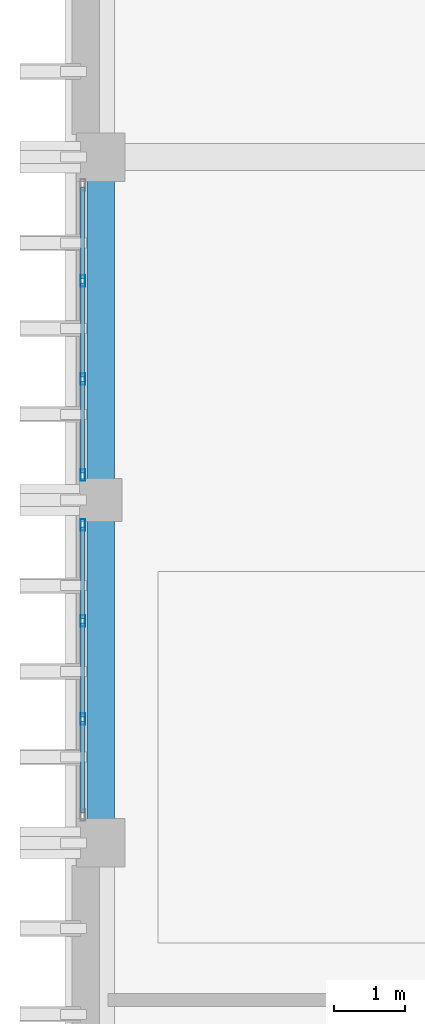
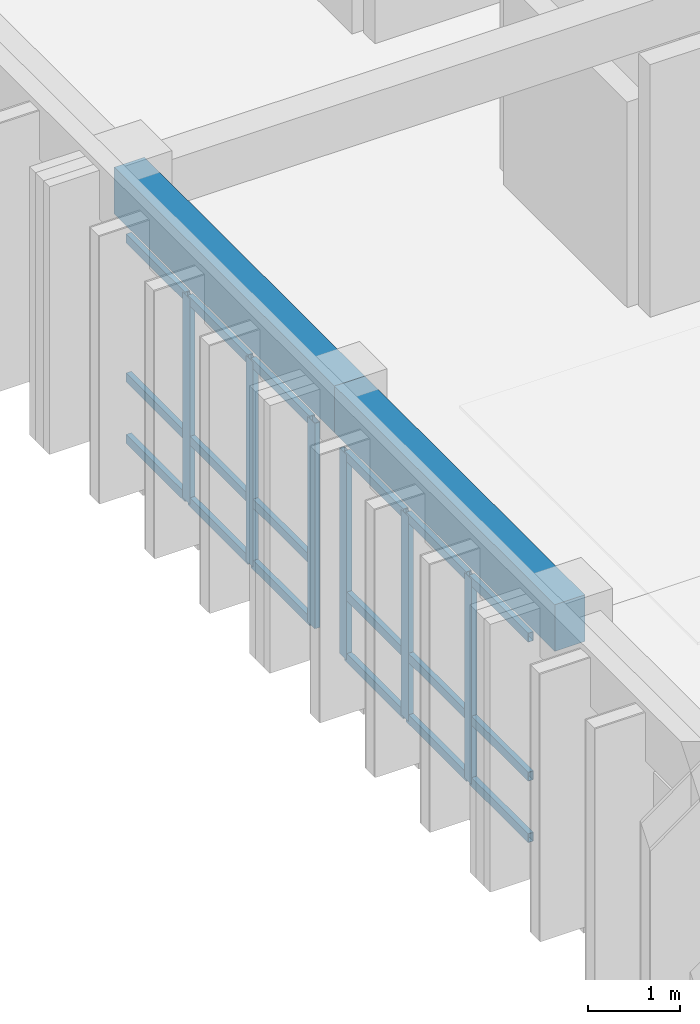
# One storey, part 29 of 53: 24 members, 2 beams, 2 elements without a shape of their own.
"""IFC4 building model written with IfcOpenShell, lengths in metres."""

import ifcopenshell
import ifcopenshell.guid

model = None  # the IFC model being written
_history = None  # IfcOwnerHistory: only IFC2X3 demands one
_inside = {}  # id of a spatial element -> (the spatial element, [elements in it])
_under = {}  # id of a project, library or spatial element -> (it, [spatial elements below it])
_declared = {}  # id of a project -> (the project, [libraries it declares])
_typed = {}  # id of a type object -> (the type object, [elements of that type])
_made_of = {}  # id of a material, layer set ... -> (it, [elements and type objects made of it])


def new_model(schema):
    """Start an empty IFC model of exactly this schema.

    Asked for "IFC4X3", IfcOpenShell would pick the latest addendum, in which some entities
    have other attributes; the version numbers below select the first issue.
    IFC2X3 requires an IfcOwnerHistory on every rooted entity: one is made here for all.
    """
    global model, _history
    if schema == "IFC4X3":
        model = ifcopenshell.file(schema_version=(4, 3, 0, 0))
    else:
        model = ifcopenshell.file(schema=schema)
    _inside.clear()
    _under.clear()
    _declared.clear()
    _typed.clear()
    _made_of.clear()
    _history = None
    if model.schema == "IFC2X3":
        org = make("IfcOrganization", Name="unknown")
        user = make(
            "IfcPersonAndOrganization",
            ThePerson=make("IfcPerson", FamilyName="unknown"),
            TheOrganization=org,
        )
        app = make(
            "IfcApplication",
            ApplicationDeveloper=org,
            Version="unknown",
            ApplicationFullName="unknown",
            ApplicationIdentifier="unknown",
        )
        _history = make(
            "IfcOwnerHistory",
            OwningUser=user,
            OwningApplication=app,
            ChangeAction="ADDED",
            CreationDate=0,
        )
    return model


def make(cls, **values):
    """One entity of the class cls with the attributes given. An attribute that is None is left unset."""
    return model.create_entity(
        cls, **{name: value for name, value in values.items() if value is not None}
    )


def rooted(cls, **values):
    """An entity with a GlobalId (a new one), such as an element, a storey or a relation."""
    return make(cls, GlobalId=ifcopenshell.guid.new(), OwnerHistory=_history, **values)


def si_unit(unit_type, name, prefix=None):
    """IfcSIUnit, for example si_unit("LENGTHUNIT", "METRE", prefix="MILLI")."""
    return make("IfcSIUnit", UnitType=unit_type, Prefix=prefix, Name=name)


def assignment(units):
    """IfcUnitAssignment: the units of a project."""
    return None if units is None else make("IfcUnitAssignment", Units=units)


def point(xyz):
    """IfcCartesianPoint."""
    return None if xyz is None else make("IfcCartesianPoint", Coordinates=xyz)


def direction(xyz):
    """IfcDirection."""
    return None if xyz is None else make("IfcDirection", DirectionRatios=xyz)


def frame(location, z_axis=None, x_axis=None):
    """IfcAxis2Placement3D, a coordinate frame: its origin and axes. An axis left out is left unset."""
    return make(
        "IfcAxis2Placement3D",
        Location=point(location),
        Axis=direction(z_axis),
        RefDirection=direction(x_axis),
    )


def frame_2d(location, x_axis=None):
    """IfcAxis2Placement2D, a coordinate frame in the plane: its origin and x axis."""
    return make(
        "IfcAxis2Placement2D", Location=point(location), RefDirection=direction(x_axis)
    )


def origin():
    """The frame at (0, 0, 0) with its axes left unset."""
    return frame((0.0, 0.0, 0.0))


def origin_2d():
    """The frame at (0, 0) in the plane with its x axis left unset."""
    return frame_2d((0.0, 0.0))


def place(relative_to, where):
    """IfcLocalPlacement: puts the frame where relative to a parent placement (None: the world)."""
    return make(
        "IfcLocalPlacement", PlacementRelTo=relative_to, RelativePlacement=where
    )


def context(
    kind, dimensions, precision=None, world=None, true_north=None, identifier=None
):
    """IfcGeometricRepresentationContext, for example the 3D "Model" context."""
    return make(
        "IfcGeometricRepresentationContext",
        ContextIdentifier=identifier,
        ContextType=kind,
        CoordinateSpaceDimension=dimensions,
        Precision=precision,
        WorldCoordinateSystem=world,
        TrueNorth=true_north,
    )


def subcontext(parent, identifier, kind, view, scale=None):
    """IfcGeometricRepresentationSubContext, for example "Body" below "Model"."""
    return make(
        "IfcGeometricRepresentationSubContext",
        ContextIdentifier=identifier,
        ContextType=kind,
        ParentContext=parent,
        TargetScale=scale,
        TargetView=view,
    )


def project(units=None, contexts=None):
    """IfcProject with its units and contexts."""
    return rooted(
        "IfcProject",
        Name="project",
        RepresentationContexts=contexts,
        UnitsInContext=assignment(units),
    )


def spatial(cls, under=None, at=None, **own):
    """A site, building, storey or space (cls), placed at a placement, below another one or the project."""
    s = rooted(cls, ObjectPlacement=at, **own)
    if under is not None:
        _under.setdefault(under.id(), (under, []))[1].append(s)
    return s


def profile(cls, at=None, kind="AREA", **sizes):
    """A parametric profile (cls). Its sizes go by their IFC names, for example OverallWidth=200.0."""
    return make(cls, ProfileType=kind, Position=at, **sizes)


def rectangle(**sizes):
    """IfcRectangleProfileDef."""
    return profile("IfcRectangleProfileDef", **sizes)


def hollow_rectangle(**sizes):
    """IfcRectangleHollowProfileDef."""
    return profile("IfcRectangleHollowProfileDef", **sizes)


def extrude(swept, where, along, depth):
    """IfcExtrudedAreaSolid: the profile swept, set in the frame where, extruded along a direction by depth."""
    return make(
        "IfcExtrudedAreaSolid",
        SweptArea=swept,
        Position=where,
        ExtrudedDirection=direction(along),
        Depth=depth,
    )


def shape(context_of_items, identifier, shape_type, items):
    """IfcShapeRepresentation: the items that make up one representation, for example the "Body"."""
    return make(
        "IfcShapeRepresentation",
        ContextOfItems=context_of_items,
        RepresentationIdentifier=identifier,
        RepresentationType=shape_type,
        Items=items,
    )


def material(Name=None, Category=None):
    """IfcMaterial."""
    return make("IfcMaterial", Name=Name, Category=Category)


def layer(
    of_material, thickness, ventilated=None, Name=None, Category=None, Priority=None
):
    """IfcMaterialLayer: one layer of a wall or slab, of a material (None: an air gap)."""
    return make(
        "IfcMaterialLayer",
        Material=of_material,
        LayerThickness=thickness,
        IsVentilated=ventilated,
        Name=Name,
        Category=Category,
        Priority=Priority,
    )


def layer_set(layers, Name=None):
    """IfcMaterialLayerSet."""
    return make("IfcMaterialLayerSet", MaterialLayers=layers, LayerSetName=Name)


def material_profile(
    of_material, cross_section, Name=None, Category=None, Priority=None
):
    """IfcMaterialProfile: a cross section and its material."""
    return make(
        "IfcMaterialProfile",
        Name=Name,
        Material=of_material,
        Profile=cross_section,
        Priority=Priority,
        Category=Category,
    )


def profile_set(profiles, Name=None, composite=None):
    """IfcMaterialProfileSet."""
    return make(
        "IfcMaterialProfileSet",
        Name=Name,
        MaterialProfiles=profiles,
        CompositeProfile=composite,
    )


def made_of(thing, what):
    """Note that an element or type object is made of a material, layer set ...; save() writes the relation."""
    if what is not None:
        _made_of.setdefault(what.id(), (what, []))[1].append(thing)
    return thing


def type_object(cls, material=None, **own):
    """A type object (cls), such as IfcWallType, which elements share."""
    return made_of(rooted(cls, **own), material)


def element(
    cls,
    number,
    at=None,
    inside=None,
    cuts=None,
    type_object=None,
    material=None,
    context=None,
    identifier="Body",
    shape_type=None,
    held_by="IfcProductDefinitionShape",
    body=None,
    shapes=None,
    **own,
):
    """One element of the class cls, such as IfcWall. Its Tag is "e" and its number.

    at: its placement. inside: the storey or other place that contains it. cuts: it is an
    opening in that element (IfcRelVoidsElement). A single representation is given by context,
    identifier, shape_type and body (its items); several are given by shapes. held_by: the class
    of the entity that holds the representations. save() writes the other relations.
    """
    e = rooted(cls, Tag="e%d" % number, ObjectPlacement=at, **own)
    if body is not None:
        shapes = [shape(context, identifier, shape_type, body)]
    if shapes is not None:
        e.Representation = make(held_by, Representations=shapes)
    if inside is not None:
        _inside.setdefault(inside.id(), (inside, []))[1].append(e)
    if cuts is not None:
        rooted(
            "IfcRelVoidsElement", RelatingBuildingElement=cuts, RelatedOpeningElement=e
        )
    if type_object is not None:
        _typed.setdefault(type_object.id(), (type_object, []))[1].append(e)
    return made_of(e, material)


def aggregate(whole, parts):
    """IfcRelAggregates: a whole, such as a stair, and the parts it consists of."""
    return rooted("IfcRelAggregates", RelatingObject=whole, RelatedObjects=parts)


def save(model, path):
    """Write the relations noted so far, then the file.

    IfcRelAggregates (storeys below a building ...), IfcRelContainedInSpatialStructure (elements
    in a storey), IfcRelDefinesByType, IfcRelAssociatesMaterial and IfcRelDeclares: one each for
    every whole, place, type object, material and project.
    """
    for whole, parts in _under.values():
        aggregate(whole, parts)
    for where, things in _inside.values():
        rooted(
            "IfcRelContainedInSpatialStructure",
            RelatedElements=things,
            RelatingStructure=where,
        )
    for kind, things in _typed.values():
        rooted("IfcRelDefinesByType", RelatedObjects=things, RelatingType=kind)
    for what, things in _made_of.values():
        rooted("IfcRelAssociatesMaterial", RelatedObjects=things, RelatingMaterial=what)
    for by, libraries in _declared.values():
        rooted("IfcRelDeclares", RelatingContext=by, RelatedDefinitions=libraries)
    model.write(path)


model = new_model("IFC4")

# Units and contexts
model_context = context("Model", 3, precision=1e-05, world=origin(), true_north=direction((0.0, 1.0)))
body_context = subcontext(model_context, "Body", "Model", "MODEL_VIEW")
ifc_project = project(units=[si_unit("LENGTHUNIT", "METRE"), si_unit("AREAUNIT", "SQUARE_METRE"), si_unit("VOLUMEUNIT", "CUBIC_METRE"), si_unit("PLANEANGLEUNIT", "RADIAN"), si_unit("MASSUNIT", "GRAM", prefix="KILO")], contexts=[model_context])

# Site, building, storey
site_placement = place(None, origin())
site = spatial("IfcSite", under=ifc_project, at=site_placement, CompositionType="ELEMENT")
building_placement = place(site_placement, origin())
building = spatial("IfcBuilding", under=site, at=building_placement, Name="Nakhvara Creek Congress Hotel", CompositionType="ELEMENT")
storey_placement = place(building_placement, frame((0.0, 0.0, 35.39990234375)))
storey = spatial("IfcBuildingStorey", under=building, at=storey_placement, Name="L08", CompositionType="ELEMENT", Elevation=35.39990234375)

# Beams
ifc_material_1 = material(Name="Concrete C40/50", Category="concrete")
ifc_material_profile_1 = material_profile(ifc_material_1, rectangle(XDim=0.3798828125, YDim=0.6201171875, at=origin_2d()), Name="RC-BM 380x620", Category="LoadBearing")
ifc_profile_set_1 = profile_set([ifc_material_profile_1], Name="Concrete C40/50")
beam_type = type_object("IfcBeamType", Name="BM-RC-380X620", PredefinedType="BEAM", material=ifc_profile_set_1)
beam_1_placement = place(storey_placement, frame((149.449951171875, 105.60009765625, 3.050048828125), z_axis=(0.0, 1.0, 0.0), x_axis=(-1.0, 0.0, 0.0)))
element("IfcBeam", 1, at=beam_1_placement, inside=storey, type_object=beam_type, Name="Beam B10-L08-2444", PredefinedType="BEAM", context=body_context, shape_type="SweptSolid", body=[
    extrude(rectangle(XDim=0.3798828125, YDim=0.6201171875, at=origin_2d()), origin(), (0.0, 0.0, 1.0), 4.7998046875),
])
beam_2_placement = place(storey_placement, frame((149.449951171875, 110.39990234375, 3.050048828125), z_axis=(0.0, 1.0, 0.0), x_axis=(-1.0, 0.0, 0.0)))
element("IfcBeam", 2, at=beam_2_placement, inside=storey, type_object=beam_type, Name="Beam B10-L08-2446", PredefinedType="BEAM", context=body_context, shape_type="SweptSolid", body=[
    extrude(rectangle(XDim=0.3798828125, YDim=0.6201171875, at=origin_2d()), origin(), (0.0, 0.0, 1.0), 4.800048828125),
])

# Curtain wall, members
ifc_material_2 = material(Name="Bronze-anodised aluminium AW-6063-T6 and double-silver low-E glass", Category="aluminium")
ifc_layer = layer(ifc_material_2, 0.199951171875)
ifc_layer_set = layer_set([ifc_layer], Name="Bronze-anodised aluminium AW-6063-T6 and double-silver low-E glass")
curtain_wall_type = type_object("IfcCurtainWallType", Name="CW-HTL-UNIT", PredefinedType="USERDEFINED", material=ifc_layer_set)
curtain_wall_1_placement = place(storey_placement, origin())
curtain_wall_1 = element("IfcCurtainWall", 3, at=curtain_wall_1_placement, inside=storey, type_object=curtain_wall_type, Name="Curtain Wall CW290", ObjectType="UNITISED", PredefinedType="USERDEFINED")
ifc_material_3 = material(Name="Bronze-anodised aluminium AW-6063-T6", Category="aluminium")
ifc_material_profile_2 = material_profile(ifc_material_3, hollow_rectangle(XDim=0.06494140625, YDim=0.159912109375, WallThickness=0.00390625, at=origin_2d()), Name="ALU-MULL 65x160x4", Category="LoadBearing")
ifc_profile_set_2 = profile_set([ifc_material_profile_2], Name="Bronze-anodised aluminium AW-6063-T6")
member_type_1 = type_object("IfcMemberType", Name="CW-MULL-160", PredefinedType="MULLION", material=ifc_profile_set_2)
member_1_placement = place(storey_placement, frame((149.199951171875, 107.331787109375, 0.0), z_axis=(0.0, 0.0, 1.0), x_axis=(-1.0, 0.0, 0.0)))
member_1 = element("IfcMember", 4, at=member_1_placement, type_object=member_type_1, Name="CW290 mullion 2", PredefinedType="MULLION", context=body_context, shape_type="SweptSolid", body=[
    extrude(hollow_rectangle(XDim=0.06494140625, YDim=0.159912109375, WallThickness=0.00390625, at=origin_2d()), origin(), (0.0, 0.0, 1.0), 2.732177734375),
])
member_2_placement = place(storey_placement, frame((149.199951171875, 108.708251953125, 0.0), z_axis=(0.0, 0.0, 1.0), x_axis=(-1.0, 0.0, 0.0)))
member_2 = element("IfcMember", 5, at=member_2_placement, type_object=member_type_1, Name="CW290 mullion 3", PredefinedType="MULLION", context=body_context, shape_type="SweptSolid", body=[
    extrude(hollow_rectangle(XDim=0.06494140625, YDim=0.159912109375, WallThickness=0.00390625, at=origin_2d()), origin(), (0.0, 0.0, 1.0), 2.732177734375),
])
member_3_placement = place(storey_placement, frame((149.199951171875, 110.052490234375, 0.0), z_axis=(0.0, 0.0, 1.0), x_axis=(-1.0, 0.0, 0.0)))
member_3 = element("IfcMember", 6, at=member_3_placement, type_object=member_type_1, Name="CW290 mullion 4", PredefinedType="MULLION", context=body_context, shape_type="SweptSolid", body=[
    extrude(hollow_rectangle(XDim=0.06494140625, YDim=0.159912109375, WallThickness=0.00390625, at=origin_2d()), origin(), (0.0, 0.0, 1.0), 2.732177734375),
])

curtain_wall_2_placement = place(storey_placement, origin())
curtain_wall_2 = element("IfcCurtainWall", 7, at=curtain_wall_2_placement, inside=storey, type_object=curtain_wall_type, Name="Curtain Wall CW292", ObjectType="UNITISED", PredefinedType="USERDEFINED")
member_4_placement = place(storey_placement, frame((149.199951171875, 110.74755859375, 0.0), z_axis=(0.0, 0.0, 1.0), x_axis=(-1.0, 0.0, 0.0)))
member_4 = element("IfcMember", 8, at=member_4_placement, type_object=member_type_1, Name="CW292 mullion 1", PredefinedType="MULLION", context=body_context, shape_type="SweptSolid", body=[
    extrude(hollow_rectangle(XDim=0.06494140625, YDim=0.159912109375, WallThickness=0.00390625, at=origin_2d()), origin(), (0.0, 0.0, 1.0), 2.732177734375),
])
member_5_placement = place(storey_placement, frame((149.199951171875, 112.091552734375, 0.0), z_axis=(0.0, 0.0, 1.0), x_axis=(-1.0, 0.0, 0.0)))
member_5 = element("IfcMember", 9, at=member_5_placement, type_object=member_type_1, Name="CW292 mullion 2", PredefinedType="MULLION", context=body_context, shape_type="SweptSolid", body=[
    extrude(hollow_rectangle(XDim=0.06494140625, YDim=0.159912109375, WallThickness=0.00390625, at=origin_2d()), origin(), (0.0, 0.0, 1.0), 2.732177734375),
])
member_6_placement = place(storey_placement, frame((149.199951171875, 113.46826171875, 0.0), z_axis=(0.0, 0.0, 1.0), x_axis=(-1.0, 0.0, 0.0)))
member_6 = element("IfcMember", 10, at=member_6_placement, type_object=member_type_1, Name="CW292 mullion 3", PredefinedType="MULLION", context=body_context, shape_type="SweptSolid", body=[
    extrude(hollow_rectangle(XDim=0.06494140625, YDim=0.159912109375, WallThickness=0.00390625, at=origin_2d()), origin(), (0.0, 0.0, 1.0), 2.732177734375),
])

# Member
ifc_material_profile_3 = material_profile(ifc_material_3, hollow_rectangle(XDim=0.06494140625, YDim=0.1201171875, WallThickness=0.00390625, at=origin_2d()), Name="ALU-TRAN 65x120x4", Category="LoadBearing")
ifc_profile_set_3 = profile_set([ifc_material_profile_3], Name="Bronze-anodised aluminium AW-6063-T6")
member_type_2 = type_object("IfcMemberType", Name="CW-TRAN-120", PredefinedType="USERDEFINED", material=ifc_profile_set_3)
member_7_placement = place(storey_placement, frame((149.199951171875, 106.02001953125, 0.03271484375), z_axis=(0.0, 1.0, 0.0), x_axis=(-1.0, 0.0, 0.0)))
member_7 = element("IfcMember", 11, at=member_7_placement, type_object=member_type_2, Name="CW290 transom 1.1", ObjectType="TRANSOM", PredefinedType="USERDEFINED", context=body_context, shape_type="SweptSolid", body=[
    extrude(hollow_rectangle(XDim=0.06494140625, YDim=0.1201171875, WallThickness=0.00390625, at=origin_2d()), origin(), (0.0, 0.0, 1.0), 1.279052734375),
])

member_8_placement = place(storey_placement, frame((149.199951171875, 106.02001953125, 0.85009765625), z_axis=(0.0, 1.0, 0.0), x_axis=(-1.0, 0.0, 0.0)))
member_8 = element("IfcMember", 12, at=member_8_placement, type_object=member_type_2, Name="CW290 transom 1.2", ObjectType="TRANSOM", PredefinedType="USERDEFINED", context=body_context, shape_type="SweptSolid", body=[
    extrude(hollow_rectangle(XDim=0.06494140625, YDim=0.1201171875, WallThickness=0.00390625, at=origin_2d()), origin(), (0.0, 0.0, 1.0), 1.279052734375),
])

member_9_placement = place(storey_placement, frame((149.199951171875, 106.02001953125, 2.69970703125), z_axis=(0.0, 1.0, 0.0), x_axis=(-1.0, 0.0, 0.0)))
member_9 = element("IfcMember", 13, at=member_9_placement, type_object=member_type_2, Name="CW290 transom 1.3", ObjectType="TRANSOM", PredefinedType="USERDEFINED", context=body_context, shape_type="SweptSolid", body=[
    extrude(hollow_rectangle(XDim=0.06494140625, YDim=0.1201171875, WallThickness=0.00390625, at=origin_2d()), origin(), (0.0, 0.0, 1.0), 1.279052734375),
])

member_10_placement = place(storey_placement, frame((149.199951171875, 107.3642578125, 0.03271484375), z_axis=(0.0, 1.0, 0.0), x_axis=(-1.0, 0.0, 0.0)))
member_10 = element("IfcMember", 14, at=member_10_placement, type_object=member_type_2, Name="CW290 transom 2.1", ObjectType="TRANSOM", PredefinedType="USERDEFINED", context=body_context, shape_type="SweptSolid", body=[
    extrude(hollow_rectangle(XDim=0.06494140625, YDim=0.1201171875, WallThickness=0.00390625, at=origin_2d()), origin(), (0.0, 0.0, 1.0), 1.3115234375),
])

member_11_placement = place(storey_placement, frame((149.199951171875, 107.3642578125, 0.85009765625), z_axis=(0.0, 1.0, 0.0), x_axis=(-1.0, 0.0, 0.0)))
member_11 = element("IfcMember", 15, at=member_11_placement, type_object=member_type_2, Name="CW290 transom 2.2", ObjectType="TRANSOM", PredefinedType="USERDEFINED", context=body_context, shape_type="SweptSolid", body=[
    extrude(hollow_rectangle(XDim=0.06494140625, YDim=0.1201171875, WallThickness=0.00390625, at=origin_2d()), origin(), (0.0, 0.0, 1.0), 1.3115234375),
])

member_12_placement = place(storey_placement, frame((149.199951171875, 107.3642578125, 2.69970703125), z_axis=(0.0, 1.0, 0.0), x_axis=(-1.0, 0.0, 0.0)))
member_12 = element("IfcMember", 16, at=member_12_placement, type_object=member_type_2, Name="CW290 transom 2.3", ObjectType="TRANSOM", PredefinedType="USERDEFINED", context=body_context, shape_type="SweptSolid", body=[
    extrude(hollow_rectangle(XDim=0.06494140625, YDim=0.1201171875, WallThickness=0.00390625, at=origin_2d()), origin(), (0.0, 0.0, 1.0), 1.3115234375),
])

member_13_placement = place(storey_placement, frame((149.199951171875, 108.74072265625, 0.03271484375), z_axis=(0.0, 1.0, 0.0), x_axis=(-1.0, 0.0, 0.0)))
member_13 = element("IfcMember", 17, at=member_13_placement, type_object=member_type_2, Name="CW290 transom 3.1", ObjectType="TRANSOM", PredefinedType="USERDEFINED", context=body_context, shape_type="SweptSolid", body=[
    extrude(hollow_rectangle(XDim=0.06494140625, YDim=0.1201171875, WallThickness=0.00390625, at=origin_2d()), origin(), (0.0, 0.0, 1.0), 1.279296875),
])

member_14_placement = place(storey_placement, frame((149.199951171875, 108.74072265625, 0.85009765625), z_axis=(0.0, 1.0, 0.0), x_axis=(-1.0, 0.0, 0.0)))
member_14 = element("IfcMember", 18, at=member_14_placement, type_object=member_type_2, Name="CW290 transom 3.2", ObjectType="TRANSOM", PredefinedType="USERDEFINED", context=body_context, shape_type="SweptSolid", body=[
    extrude(hollow_rectangle(XDim=0.06494140625, YDim=0.1201171875, WallThickness=0.00390625, at=origin_2d()), origin(), (0.0, 0.0, 1.0), 1.279296875),
])

member_15_placement = place(storey_placement, frame((149.199951171875, 108.74072265625, 2.69970703125), z_axis=(0.0, 1.0, 0.0), x_axis=(-1.0, 0.0, 0.0)))
member_15 = element("IfcMember", 19, at=member_15_placement, type_object=member_type_2, Name="CW290 transom 3.3", ObjectType="TRANSOM", PredefinedType="USERDEFINED", context=body_context, shape_type="SweptSolid", body=[
    extrude(hollow_rectangle(XDim=0.06494140625, YDim=0.1201171875, WallThickness=0.00390625, at=origin_2d()), origin(), (0.0, 0.0, 1.0), 1.279296875),
])

aggregate(curtain_wall_1, [member_1, member_2, member_3, member_7, member_8, member_9, member_10, member_11, member_12, member_13, member_14, member_15])

member_16_placement = place(storey_placement, frame((149.199951171875, 110.780029296875, 0.03271484375), z_axis=(0.0, 1.0, 0.0), x_axis=(-1.0, 0.0, 0.0)))
member_16 = element("IfcMember", 20, at=member_16_placement, type_object=member_type_2, Name="CW292 transom 1.1", ObjectType="TRANSOM", PredefinedType="USERDEFINED", context=body_context, shape_type="SweptSolid", body=[
    extrude(hollow_rectangle(XDim=0.06494140625, YDim=0.1201171875, WallThickness=0.00390625, at=origin_2d()), origin(), (0.0, 0.0, 1.0), 1.279052734375),
])

member_17_placement = place(storey_placement, frame((149.199951171875, 110.780029296875, 0.85009765625), z_axis=(0.0, 1.0, 0.0), x_axis=(-1.0, 0.0, 0.0)))
member_17 = element("IfcMember", 21, at=member_17_placement, type_object=member_type_2, Name="CW292 transom 1.2", ObjectType="TRANSOM", PredefinedType="USERDEFINED", context=body_context, shape_type="SweptSolid", body=[
    extrude(hollow_rectangle(XDim=0.06494140625, YDim=0.1201171875, WallThickness=0.00390625, at=origin_2d()), origin(), (0.0, 0.0, 1.0), 1.279052734375),
])

member_18_placement = place(storey_placement, frame((149.199951171875, 110.780029296875, 2.69970703125), z_axis=(0.0, 1.0, 0.0), x_axis=(-1.0, 0.0, 0.0)))
member_18 = element("IfcMember", 22, at=member_18_placement, type_object=member_type_2, Name="CW292 transom 1.3", ObjectType="TRANSOM", PredefinedType="USERDEFINED", context=body_context, shape_type="SweptSolid", body=[
    extrude(hollow_rectangle(XDim=0.06494140625, YDim=0.1201171875, WallThickness=0.00390625, at=origin_2d()), origin(), (0.0, 0.0, 1.0), 1.279052734375),
])

member_19_placement = place(storey_placement, frame((149.199951171875, 112.124267578125, 0.03271484375), z_axis=(0.0, 1.0, 0.0), x_axis=(-1.0, 0.0, 0.0)))
member_19 = element("IfcMember", 23, at=member_19_placement, type_object=member_type_2, Name="CW292 transom 2.1", ObjectType="TRANSOM", PredefinedType="USERDEFINED", context=body_context, shape_type="SweptSolid", body=[
    extrude(hollow_rectangle(XDim=0.06494140625, YDim=0.1201171875, WallThickness=0.00390625, at=origin_2d()), origin(), (0.0, 0.0, 1.0), 1.3115234375),
])

member_20_placement = place(storey_placement, frame((149.199951171875, 112.124267578125, 0.85009765625), z_axis=(0.0, 1.0, 0.0), x_axis=(-1.0, 0.0, 0.0)))
member_20 = element("IfcMember", 24, at=member_20_placement, type_object=member_type_2, Name="CW292 transom 2.2", ObjectType="TRANSOM", PredefinedType="USERDEFINED", context=body_context, shape_type="SweptSolid", body=[
    extrude(hollow_rectangle(XDim=0.06494140625, YDim=0.1201171875, WallThickness=0.00390625, at=origin_2d()), origin(), (0.0, 0.0, 1.0), 1.3115234375),
])

member_21_placement = place(storey_placement, frame((149.199951171875, 112.124267578125, 2.69970703125), z_axis=(0.0, 1.0, 0.0), x_axis=(-1.0, 0.0, 0.0)))
member_21 = element("IfcMember", 25, at=member_21_placement, type_object=member_type_2, Name="CW292 transom 2.3", ObjectType="TRANSOM", PredefinedType="USERDEFINED", context=body_context, shape_type="SweptSolid", body=[
    extrude(hollow_rectangle(XDim=0.06494140625, YDim=0.1201171875, WallThickness=0.00390625, at=origin_2d()), origin(), (0.0, 0.0, 1.0), 1.3115234375),
])

member_22_placement = place(storey_placement, frame((149.199951171875, 113.500732421875, 0.03271484375), z_axis=(0.0, 1.0, 0.0), x_axis=(-1.0, 0.0, 0.0)))
member_22 = element("IfcMember", 26, at=member_22_placement, type_object=member_type_2, Name="CW292 transom 3.1", ObjectType="TRANSOM", PredefinedType="USERDEFINED", context=body_context, shape_type="SweptSolid", body=[
    extrude(hollow_rectangle(XDim=0.06494140625, YDim=0.1201171875, WallThickness=0.00390625, at=origin_2d()), origin(), (0.0, 0.0, 1.0), 1.279296875),
])

member_23_placement = place(storey_placement, frame((149.199951171875, 113.500732421875, 0.85009765625), z_axis=(0.0, 1.0, 0.0), x_axis=(-1.0, 0.0, 0.0)))
member_23 = element("IfcMember", 27, at=member_23_placement, type_object=member_type_2, Name="CW292 transom 3.2", ObjectType="TRANSOM", PredefinedType="USERDEFINED", context=body_context, shape_type="SweptSolid", body=[
    extrude(hollow_rectangle(XDim=0.06494140625, YDim=0.1201171875, WallThickness=0.00390625, at=origin_2d()), origin(), (0.0, 0.0, 1.0), 1.279296875),
])

member_24_placement = place(storey_placement, frame((149.199951171875, 113.500732421875, 2.69970703125), z_axis=(0.0, 1.0, 0.0), x_axis=(-1.0, 0.0, 0.0)))
member_24 = element("IfcMember", 28, at=member_24_placement, type_object=member_type_2, Name="CW292 transom 3.3", ObjectType="TRANSOM", PredefinedType="USERDEFINED", context=body_context, shape_type="SweptSolid", body=[
    extrude(hollow_rectangle(XDim=0.06494140625, YDim=0.1201171875, WallThickness=0.00390625, at=origin_2d()), origin(), (0.0, 0.0, 1.0), 1.279296875),
])

aggregate(curtain_wall_2, [member_4, member_5, member_6, member_16, member_17, member_18, member_19, member_20, member_21, member_22, member_23, member_24])

save(model, "model.ifc")
